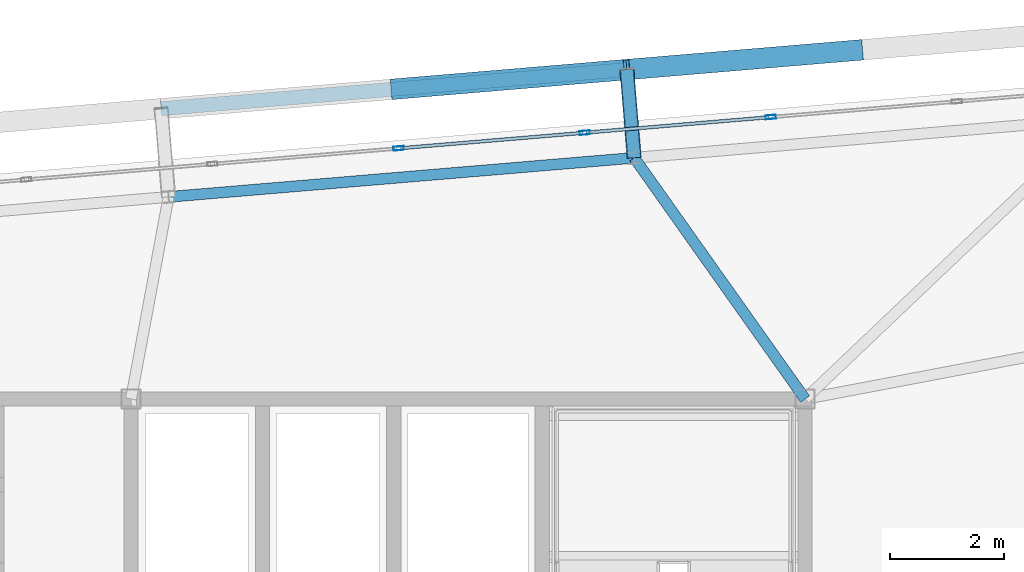
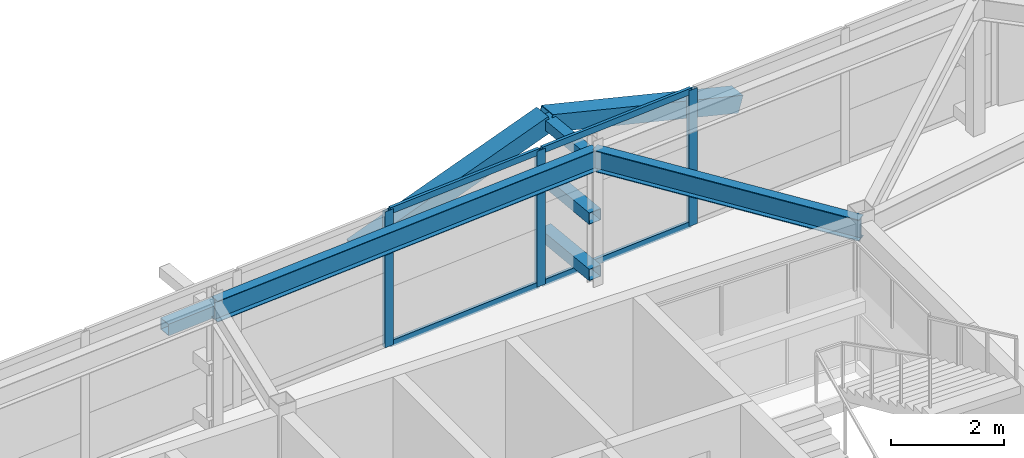
# One storey, part 30 of 46: 13 members, 2 beams, 1 element without a shape of its own.
"""IFC4 building model written with IfcOpenShell, lengths in metres."""

import ifcopenshell
import ifcopenshell.guid

model = None  # the IFC model being written
_history = None  # IfcOwnerHistory: only IFC2X3 demands one
_inside = {}  # id of a spatial element -> (the spatial element, [elements in it])
_under = {}  # id of a project, library or spatial element -> (it, [spatial elements below it])
_declared = {}  # id of a project -> (the project, [libraries it declares])
_typed = {}  # id of a type object -> (the type object, [elements of that type])
_made_of = {}  # id of a material, layer set ... -> (it, [elements and type objects made of it])


def new_model(schema):
    """Start an empty IFC model of exactly this schema.

    Asked for "IFC4X3", IfcOpenShell would pick the latest addendum, in which some entities
    have other attributes; the version numbers below select the first issue.
    IFC2X3 requires an IfcOwnerHistory on every rooted entity: one is made here for all.
    """
    global model, _history
    if schema == "IFC4X3":
        model = ifcopenshell.file(schema_version=(4, 3, 0, 0))
    else:
        model = ifcopenshell.file(schema=schema)
    _inside.clear()
    _under.clear()
    _declared.clear()
    _typed.clear()
    _made_of.clear()
    _history = None
    if model.schema == "IFC2X3":
        org = make("IfcOrganization", Name="unknown")
        user = make(
            "IfcPersonAndOrganization",
            ThePerson=make("IfcPerson", FamilyName="unknown"),
            TheOrganization=org,
        )
        app = make(
            "IfcApplication",
            ApplicationDeveloper=org,
            Version="unknown",
            ApplicationFullName="unknown",
            ApplicationIdentifier="unknown",
        )
        _history = make(
            "IfcOwnerHistory",
            OwningUser=user,
            OwningApplication=app,
            ChangeAction="ADDED",
            CreationDate=0,
        )
    return model


def make(cls, **values):
    """One entity of the class cls with the attributes given. An attribute that is None is left unset."""
    return model.create_entity(
        cls, **{name: value for name, value in values.items() if value is not None}
    )


def rooted(cls, **values):
    """An entity with a GlobalId (a new one), such as an element, a storey or a relation."""
    return make(cls, GlobalId=ifcopenshell.guid.new(), OwnerHistory=_history, **values)


def si_unit(unit_type, name, prefix=None):
    """IfcSIUnit, for example si_unit("LENGTHUNIT", "METRE", prefix="MILLI")."""
    return make("IfcSIUnit", UnitType=unit_type, Prefix=prefix, Name=name)


def assignment(units):
    """IfcUnitAssignment: the units of a project."""
    return None if units is None else make("IfcUnitAssignment", Units=units)


def point(xyz):
    """IfcCartesianPoint."""
    return None if xyz is None else make("IfcCartesianPoint", Coordinates=xyz)


def direction(xyz):
    """IfcDirection."""
    return None if xyz is None else make("IfcDirection", DirectionRatios=xyz)


def frame(location, z_axis=None, x_axis=None):
    """IfcAxis2Placement3D, a coordinate frame: its origin and axes. An axis left out is left unset."""
    return make(
        "IfcAxis2Placement3D",
        Location=point(location),
        Axis=direction(z_axis),
        RefDirection=direction(x_axis),
    )


def frame_2d(location, x_axis=None):
    """IfcAxis2Placement2D, a coordinate frame in the plane: its origin and x axis."""
    return make(
        "IfcAxis2Placement2D", Location=point(location), RefDirection=direction(x_axis)
    )


def origin():
    """The frame at (0, 0, 0) with its axes left unset."""
    return frame((0.0, 0.0, 0.0))


def origin_2d():
    """The frame at (0, 0) in the plane with its x axis left unset."""
    return frame_2d((0.0, 0.0))


def place(relative_to, where):
    """IfcLocalPlacement: puts the frame where relative to a parent placement (None: the world)."""
    return make(
        "IfcLocalPlacement", PlacementRelTo=relative_to, RelativePlacement=where
    )


def context(
    kind, dimensions, precision=None, world=None, true_north=None, identifier=None
):
    """IfcGeometricRepresentationContext, for example the 3D "Model" context."""
    return make(
        "IfcGeometricRepresentationContext",
        ContextIdentifier=identifier,
        ContextType=kind,
        CoordinateSpaceDimension=dimensions,
        Precision=precision,
        WorldCoordinateSystem=world,
        TrueNorth=true_north,
    )


def subcontext(parent, identifier, kind, view, scale=None):
    """IfcGeometricRepresentationSubContext, for example "Body" below "Model"."""
    return make(
        "IfcGeometricRepresentationSubContext",
        ContextIdentifier=identifier,
        ContextType=kind,
        ParentContext=parent,
        TargetScale=scale,
        TargetView=view,
    )


def project(units=None, contexts=None):
    """IfcProject with its units and contexts."""
    return rooted(
        "IfcProject",
        Name="project",
        RepresentationContexts=contexts,
        UnitsInContext=assignment(units),
    )


def spatial(cls, under=None, at=None, **own):
    """A site, building, storey or space (cls), placed at a placement, below another one or the project."""
    s = rooted(cls, ObjectPlacement=at, **own)
    if under is not None:
        _under.setdefault(under.id(), (under, []))[1].append(s)
    return s


def profile(cls, at=None, kind="AREA", **sizes):
    """A parametric profile (cls). Its sizes go by their IFC names, for example OverallWidth=200.0."""
    return make(cls, ProfileType=kind, Position=at, **sizes)


def hollow_rectangle(**sizes):
    """IfcRectangleHollowProfileDef."""
    return profile("IfcRectangleHollowProfileDef", **sizes)


def i_section(**sizes):
    """IfcIShapeProfileDef."""
    return profile("IfcIShapeProfileDef", **sizes)


def extrude(swept, where, along, depth):
    """IfcExtrudedAreaSolid: the profile swept, set in the frame where, extruded along a direction by depth."""
    return make(
        "IfcExtrudedAreaSolid",
        SweptArea=swept,
        Position=where,
        ExtrudedDirection=direction(along),
        Depth=depth,
    )


def shape(context_of_items, identifier, shape_type, items):
    """IfcShapeRepresentation: the items that make up one representation, for example the "Body"."""
    return make(
        "IfcShapeRepresentation",
        ContextOfItems=context_of_items,
        RepresentationIdentifier=identifier,
        RepresentationType=shape_type,
        Items=items,
    )


def source(mapping_origin, context_of_items, identifier, shape_type, items):
    """IfcRepresentationMap: a shape defined once, which mapped items show again and again."""
    return make(
        "IfcRepresentationMap",
        MappingOrigin=mapping_origin,
        MappedRepresentation=shape(context_of_items, identifier, shape_type, items),
    )


def transform(
    local_origin,
    x_axis=None,
    y_axis=None,
    z_axis=None,
    scale=None,
    scale2=None,
    scale3=None,
    uniform=True,
):
    """IfcCartesianTransformationOperator3D, or its non-uniform kind. x_axis, y_axis, z_axis: its Axis1, 2, 3."""
    if uniform:
        return make(
            "IfcCartesianTransformationOperator3D",
            Axis1=direction(x_axis),
            Axis2=direction(y_axis),
            LocalOrigin=point(local_origin),
            Scale=scale,
            Axis3=direction(z_axis),
        )
    return make(
        "IfcCartesianTransformationOperator3DnonUniform",
        Axis1=direction(x_axis),
        Axis2=direction(y_axis),
        LocalOrigin=point(local_origin),
        Scale=scale,
        Axis3=direction(z_axis),
        Scale2=scale2,
        Scale3=scale3,
    )


def mapped(mapping_source, mapping_target):
    """IfcMappedItem: shows the shape of a source again, moved by a transform."""
    return make(
        "IfcMappedItem", MappingSource=mapping_source, MappingTarget=mapping_target
    )


def material(Name=None, Category=None):
    """IfcMaterial."""
    return make("IfcMaterial", Name=Name, Category=Category)


def layer(
    of_material, thickness, ventilated=None, Name=None, Category=None, Priority=None
):
    """IfcMaterialLayer: one layer of a wall or slab, of a material (None: an air gap)."""
    return make(
        "IfcMaterialLayer",
        Material=of_material,
        LayerThickness=thickness,
        IsVentilated=ventilated,
        Name=Name,
        Category=Category,
        Priority=Priority,
    )


def layer_set(layers, Name=None):
    """IfcMaterialLayerSet."""
    return make("IfcMaterialLayerSet", MaterialLayers=layers, LayerSetName=Name)


def material_profile(
    of_material, cross_section, Name=None, Category=None, Priority=None
):
    """IfcMaterialProfile: a cross section and its material."""
    return make(
        "IfcMaterialProfile",
        Name=Name,
        Material=of_material,
        Profile=cross_section,
        Priority=Priority,
        Category=Category,
    )


def profile_set(profiles, Name=None, composite=None):
    """IfcMaterialProfileSet."""
    return make(
        "IfcMaterialProfileSet",
        Name=Name,
        MaterialProfiles=profiles,
        CompositeProfile=composite,
    )


def made_of(thing, what):
    """Note that an element or type object is made of a material, layer set ...; save() writes the relation."""
    if what is not None:
        _made_of.setdefault(what.id(), (what, []))[1].append(thing)
    return thing


def type_object(cls, material=None, **own):
    """A type object (cls), such as IfcWallType, which elements share."""
    return made_of(rooted(cls, **own), material)


def element(
    cls,
    number,
    at=None,
    inside=None,
    cuts=None,
    type_object=None,
    material=None,
    context=None,
    identifier="Body",
    shape_type=None,
    held_by="IfcProductDefinitionShape",
    body=None,
    shapes=None,
    **own,
):
    """One element of the class cls, such as IfcWall. Its Tag is "e" and its number.

    at: its placement. inside: the storey or other place that contains it. cuts: it is an
    opening in that element (IfcRelVoidsElement). A single representation is given by context,
    identifier, shape_type and body (its items); several are given by shapes. held_by: the class
    of the entity that holds the representations. save() writes the other relations.
    """
    e = rooted(cls, Tag="e%d" % number, ObjectPlacement=at, **own)
    if body is not None:
        shapes = [shape(context, identifier, shape_type, body)]
    if shapes is not None:
        e.Representation = make(held_by, Representations=shapes)
    if inside is not None:
        _inside.setdefault(inside.id(), (inside, []))[1].append(e)
    if cuts is not None:
        rooted(
            "IfcRelVoidsElement", RelatingBuildingElement=cuts, RelatedOpeningElement=e
        )
    if type_object is not None:
        _typed.setdefault(type_object.id(), (type_object, []))[1].append(e)
    return made_of(e, material)


def aggregate(whole, parts):
    """IfcRelAggregates: a whole, such as a stair, and the parts it consists of."""
    return rooted("IfcRelAggregates", RelatingObject=whole, RelatedObjects=parts)


def save(model, path):
    """Write the relations noted so far, then the file.

    IfcRelAggregates (storeys below a building ...), IfcRelContainedInSpatialStructure (elements
    in a storey), IfcRelDefinesByType, IfcRelAssociatesMaterial and IfcRelDeclares: one each for
    every whole, place, type object, material and project.
    """
    for whole, parts in _under.values():
        aggregate(whole, parts)
    for where, things in _inside.values():
        rooted(
            "IfcRelContainedInSpatialStructure",
            RelatedElements=things,
            RelatingStructure=where,
        )
    for kind, things in _typed.values():
        rooted("IfcRelDefinesByType", RelatedObjects=things, RelatingType=kind)
    for what, things in _made_of.values():
        rooted("IfcRelAssociatesMaterial", RelatedObjects=things, RelatingMaterial=what)
    for by, libraries in _declared.values():
        rooted("IfcRelDeclares", RelatingContext=by, RelatedDefinitions=libraries)
    model.write(path)


model = new_model("IFC4")

# Units and contexts
model_context = context("Model", 3, precision=1e-05, world=origin(), true_north=direction((0.0, 1.0)))
body_context = subcontext(model_context, "Body", "Model", "MODEL_VIEW")
ifc_project = project(units=[si_unit("LENGTHUNIT", "METRE"), si_unit("AREAUNIT", "SQUARE_METRE"), si_unit("VOLUMEUNIT", "CUBIC_METRE"), si_unit("PLANEANGLEUNIT", "RADIAN"), si_unit("MASSUNIT", "GRAM", prefix="KILO")], contexts=[model_context])

# Site, building, storey
site_placement = place(None, origin())
site = spatial("IfcSite", under=ifc_project, at=site_placement, CompositionType="ELEMENT")
building_placement = place(site_placement, origin())
building = spatial("IfcBuilding", under=site, at=building_placement, Name="Taldren Reach Tower", CompositionType="ELEMENT")
storey_placement = place(building_placement, frame((0.0, 0.0, 194.60009765625)))
storey = spatial("IfcBuildingStorey", under=building, at=storey_placement, Name="L59", CompositionType="ELEMENT", Elevation=194.60009765625)

# Members
ifc_material_1 = material(Name="Steel Gr 350 (C350L0)", Category="steel")
ifc_material_profile_1 = material_profile(ifc_material_1, hollow_rectangle(XDim=0.25, YDim=0.25, WallThickness=0.010009765625, at=origin_2d()), Name="250x250x10.0SHS")
ifc_profile_set_1 = profile_set([ifc_material_profile_1], Name="Steel Gr 350 (C350L0)")
member_type_1 = type_object("IfcMemberType", Name="MB-POST250", PredefinedType="POST", material=ifc_profile_set_1)
shared_shape_1 = source(origin(), body_context, "Body", "SweptSolid", [
    extrude(hollow_rectangle(XDim=0.25, YDim=0.25, WallThickness=0.010009765625, at=origin_2d()), origin(), (0.0, 0.0, 1.0), 1.550048828125),
])
for number, where, z_axis, x_axis, name in (
    (1, (48.009033203125, 36.221435546875, 0.219970703125), (-0.083632013783, 0.996496706603, 0.0), (-0.996496706603, -0.083632013783, 0.0), "Exoskeleton base diaphragm tie strut B4-N5 L59"),
    (2, (48.009033203125, 36.221435546875, 1.434814453125), (-0.083632013783, 0.996496706603, 0.0), (-0.996496706603, -0.083632013783, 0.0), "Exoskeleton mid-tier diaphragm tie B4-N5 L59"),
):
    element("IfcMember", number, at=place(storey_placement, frame(where, z_axis=z_axis, x_axis=x_axis)), inside=storey, type_object=member_type_1, Name=name, PredefinedType="POST", context=body_context, shape_type="MappedRepresentation", body=[
        mapped(shared_shape_1, transform((0.0, 0.0, 0.0), scale=1.0)),
    ])

# Beams
ifc_material_2 = material(Name="Steel Gr 350 (350PLUS)", Category="steel")
ifc_material_profile_2 = material_profile(ifc_material_2, i_section(OverallWidth=0.18994140625, OverallDepth=0.4541015625, WebThickness=0.008544921875, FlangeThickness=0.0126953125, at=origin_2d()), Name="460UB67.1")
ifc_profile_set_2 = profile_set([ifc_material_profile_2], Name="Steel Gr 350 (350PLUS)")
beam_type_1 = type_object("IfcBeamType", Name="SP-UB460B", PredefinedType="SPANDREL", material=ifc_profile_set_2)
shared_shape_2 = source(origin(), body_context, "Body", "SweptSolid", [
    extrude(i_section(OverallWidth=0.18994140625, OverallDepth=0.4541015625, WebThickness=0.008544921875, FlangeThickness=0.0126953125, at=origin_2d()), origin(), (0.0, 0.0, 1.0), 8.179931640625),
])
beam_1_placement = place(storey_placement, frame((48.009033203125, 36.221435546875, 2.702880859375), z_axis=(-0.996494523218, -0.083658025296, 0.0), x_axis=(0.083658025296, -0.996494523218, 0.0)))
element("IfcBeam", 3, at=beam_1_placement, inside=storey, type_object=beam_type_1, Name="Perimeter spandrel B4 N5-N4 L59", PredefinedType="SPANDREL", context=body_context, shape_type="MappedRepresentation", body=[
    mapped(shared_shape_2, transform((0.0, 0.0, 0.0), scale=1.0)),
])
ifc_material_profile_3 = material_profile(ifc_material_2, i_section(OverallWidth=0.19091796875, OverallDepth=0.4599609375, WebThickness=0.010009765625, FlangeThickness=0.01611328125, at=origin_2d()), Name="460UB82.1")
ifc_profile_set_3 = profile_set([ifc_material_profile_3], Name="Steel Gr 350 (350PLUS)")
beam_type_2 = type_object("IfcBeamType", Name="BM-UB460A", PredefinedType="BEAM", material=ifc_profile_set_3)
shared_shape_3 = source(origin(), body_context, "Body", "SweptSolid", [
    extrude(i_section(OverallWidth=0.19091796875, OverallDepth=0.4599609375, WebThickness=0.010009765625, FlangeThickness=0.01611328125, at=origin_2d()), origin(), (0.0, 0.0, 1.0), 5.173583984375),
])
beam_2_placement = place(storey_placement, frame((51.0, 32.0, 2.699951171875), z_axis=(-0.578118152709, 0.8159530633, 0.0), x_axis=(-0.8159530633, -0.578118152709, 0.0)))
element("IfcBeam", 4, at=beam_2_placement, inside=storey, type_object=beam_type_2, Name="Primary floor girder B4-N5 L59", PredefinedType="BEAM", context=body_context, shape_type="MappedRepresentation", body=[
    mapped(shared_shape_3, transform((0.0, 0.0, 0.0), scale=1.0)),
])

# Members
ifc_material_3 = material(Name="Steel Gr 450 (C450L0)", Category="steel")
ifc_material_profile_4 = material_profile(ifc_material_3, hollow_rectangle(XDim=0.219970703125, YDim=0.219970703125, WallThickness=0.00830078125, at=origin_2d()), Name="220x220x8.2SHS")
ifc_profile_set_4 = profile_set([ifc_material_profile_4], Name="Steel Gr 450 (C450L0)")
member_type_2 = type_object("IfcMemberType", Name="MB-TIE219", PredefinedType="STRUT", material=ifc_profile_set_4)
shared_shape_4 = source(origin(), body_context, "Body", "SweptSolid", [
    extrude(hollow_rectangle(XDim=0.219970703125, YDim=0.219970703125, WallThickness=0.00830078125, at=origin_2d()), origin(), (0.0, 0.0, 1.0), 1.550048828125),
])
member_1_placement = place(storey_placement, frame((48.009033203125, 36.221435546875, 2.64990234375), z_axis=(-0.083632013783, 0.996496706603, 0.0), x_axis=(-0.996496706603, -0.083632013783, 0.0)))
element("IfcMember", 5, at=member_1_placement, inside=storey, type_object=member_type_2, Name="Exoskeleton diaphragm tie strut B4-N5 L59", PredefinedType="STRUT", context=body_context, shape_type="MappedRepresentation", body=[
    mapped(shared_shape_4, transform((0.0, 0.0, 0.0), scale=1.0)),
])
shared_shape_5 = source(origin(), body_context, "Body", "SweptSolid", [
    extrude(hollow_rectangle(XDim=0.25, YDim=0.25, WallThickness=0.010009765625, at=origin_2d()), origin(), (0.0, 0.0, 1.0), 8.18017578125),
])
member_2_placement = place(storey_placement, frame((39.72802734375, 37.08154296875, 1.434814453125), z_axis=(0.996492034688, 0.083687662192, 0.0), x_axis=(-0.083687662192, 0.996492034688, 0.0)))
element("IfcMember", 6, at=member_2_placement, inside=storey, type_object=member_type_1, Name="Exoskeleton mid-height ring chord B4-N4 L59", PredefinedType="POST", context=body_context, shape_type="MappedRepresentation", body=[
    mapped(shared_shape_5, transform((0.0, 0.0, 0.0), scale=1.0)),
])
ifc_material_profile_5 = material_profile(ifc_material_3, hollow_rectangle(XDim=0.360107421875, YDim=0.360107421875, WallThickness=0.0126953125, at=origin_2d()), Name="360x360x12.7SHS")
ifc_profile_set_5 = profile_set([ifc_material_profile_5], Name="Steel Gr 450 (C450L0)")
member_type_3 = type_object("IfcMemberType", Name="MB-EXO356", PredefinedType="BRACE", material=ifc_profile_set_5)
shared_shape_6 = source(origin(), body_context, "Body", "SweptSolid", [
    extrude(hollow_rectangle(XDim=0.360107421875, YDim=0.360107421875, WallThickness=0.0126953125, at=origin_2d()), origin(), (0.0, 0.0, 1.0), 4.2666015625),
])
for number, where, z_axis, x_axis, name in (
    (7, (43.8037109375, 37.423828125, 1.434814453125), (0.955229159097, 0.080222312271, 0.284783486572), (-0.083687662192, 0.996492034688, 0.0), "Exoskeleton Diagrid Brace B4-N4 L59"),
    (8, (51.955078125, 38.1083984375, 1.434814453125), (-0.955229159097, -0.080222312271, 0.284783486572), (0.083687662192, -0.996492034688, 0.0), "Exoskeleton Diagrid Brace B4-N5 L59"),
):
    element("IfcMember", number, at=place(storey_placement, frame(where, z_axis=z_axis, x_axis=x_axis)), inside=storey, type_object=member_type_3, Name=name, PredefinedType="BRACE", context=body_context, shape_type="MappedRepresentation", body=[
        mapped(shared_shape_6, transform((0.0, 0.0, 0.0), scale=1.0)),
    ])

# Curtain wall, members
ifc_material_4 = material(Name="Aluminium and Low-E Glass Unitised System", Category="aluminium")
ifc_layer = layer(ifc_material_4, 0.159912109375)
ifc_layer_set = layer_set([ifc_layer], Name="Aluminium and Low-E Glass Unitised System")
curtain_wall_type = type_object("IfcCurtainWallType", Name="CW-SYS-5", PredefinedType="NOTDEFINED", material=ifc_layer_set)
curtain_wall_placement = place(storey_placement, origin())
curtain_wall = element("IfcCurtainWall", 9, at=curtain_wall_placement, inside=storey, type_object=curtain_wall_type, Name="Unitised curtain wall CW-L59-N", PredefinedType="NOTDEFINED")
ifc_material_5 = material(Name="Anodised Aluminium 6063-T6", Category="aluminium")
ifc_material_profile_6 = material_profile(ifc_material_5, hollow_rectangle(XDim=0.070068359375, YDim=0.179931640625, WallThickness=0.00390625, at=origin_2d()), Name="ALU-180x70x4RHS")
ifc_profile_set_6 = profile_set([ifc_material_profile_6], Name="Anodised Aluminium 6063-T6")
member_type_4 = type_object("IfcMemberType", Name="CW-MUL-180", PredefinedType="MULLION", material=ifc_profile_set_6)
shared_shape_7 = source(origin(), body_context, "Body", "SweptSolid", [
    extrude(hollow_rectangle(XDim=0.070068359375, YDim=0.179931640625, WallThickness=0.00390625, at=origin_2d()), origin(), (0.0, 0.0, 1.0), 2.929931640625),
])
member_3_placement = place(storey_placement, frame((50.3994140625, 36.93408203125, 0.0), z_axis=(0.0, 0.0, 1.0), x_axis=(0.083677875247, -0.99649285657, 0.0)))
member_3 = element("IfcMember", 10, at=member_3_placement, type_object=member_type_4, Name="CW-5 mullion 3", PredefinedType="MULLION", context=body_context, shape_type="MappedRepresentation", body=[
    mapped(shared_shape_7, transform((0.0, 0.0, 0.0), scale=1.0)),
])
member_4_placement = place(storey_placement, frame((47.1416015625, 36.660400390625, 0.0), z_axis=(0.0, 0.0, 1.0), x_axis=(0.083677875247, -0.99649285657, 0.0)))
member_4 = element("IfcMember", 11, at=member_4_placement, type_object=member_type_4, Name="CW-5 mullion 4", PredefinedType="MULLION", context=body_context, shape_type="MappedRepresentation", body=[
    mapped(shared_shape_7, transform((0.0, 0.0, 0.0), scale=1.0)),
])
member_5_placement = place(storey_placement, frame((43.8837890625, 36.386962890625, 0.0), z_axis=(0.0, 0.0, 1.0), x_axis=(0.083677875247, -0.99649285657, 0.0)))
member_5 = element("IfcMember", 12, at=member_5_placement, type_object=member_type_4, Name="CW-5 mullion 5", PredefinedType="MULLION", context=body_context, shape_type="MappedRepresentation", body=[
    mapped(shared_shape_7, transform((0.0, 0.0, 0.0), scale=1.0)),
])
ifc_material_profile_7 = material_profile(ifc_material_5, hollow_rectangle(XDim=0.06005859375, YDim=0.135009765625, WallThickness=0.00341796875, at=origin_2d()), Name="ALU-135x60x3.5RHS")
ifc_profile_set_7 = profile_set([ifc_material_profile_7], Name="Anodised Aluminium 6063-T6")
member_type_5 = type_object("IfcMemberType", Name="CW-TRN-150", PredefinedType="USERDEFINED", material=ifc_profile_set_7)
shared_shape_8 = source(origin(), body_context, "Body", "SweptSolid", [
    extrude(hollow_rectangle(XDim=0.06005859375, YDim=0.135009765625, WallThickness=0.00341796875, at=origin_2d()), origin(), (0.0, 0.0, 1.0), 3.19921875),
])
member_6_placement = place(storey_placement, frame((50.364501953125, 36.93115234375, 0.02978515625), z_axis=(-0.996489746258, -0.083714906697, 0.0), x_axis=(0.083714906697, -0.996489746258, 0.0)))
member_6 = element("IfcMember", 13, at=member_6_placement, type_object=member_type_5, Name="CW-5 transom 3.1", ObjectType="TRANSOM", PredefinedType="USERDEFINED", context=body_context, shape_type="MappedRepresentation", body=[
    mapped(shared_shape_8, transform((0.0, 0.0, 0.0), scale=1.0)),
])
member_7_placement = place(storey_placement, frame((50.364501953125, 36.93115234375, 2.89990234375), z_axis=(-0.996489746258, -0.083714906697, 0.0), x_axis=(0.083714906697, -0.996489746258, 0.0)))
member_7 = element("IfcMember", 14, at=member_7_placement, type_object=member_type_5, Name="CW-5 transom 3.2", ObjectType="TRANSOM", PredefinedType="USERDEFINED", context=body_context, shape_type="MappedRepresentation", body=[
    mapped(shared_shape_8, transform((0.0, 0.0, 0.0), scale=1.0)),
])
member_8_placement = place(storey_placement, frame((47.106689453125, 36.657470703125, 0.02978515625), z_axis=(-0.996496109493, -0.083639128198, 0.0), x_axis=(0.083639128198, -0.996496109493, 0.0)))
member_8 = element("IfcMember", 15, at=member_8_placement, type_object=member_type_5, Name="CW-5 transom 4.1", ObjectType="TRANSOM", PredefinedType="USERDEFINED", context=body_context, shape_type="MappedRepresentation", body=[
    mapped(shared_shape_8, transform((0.0, 0.0, 0.0), scale=1.0)),
])
member_9_placement = place(storey_placement, frame((47.106689453125, 36.657470703125, 2.89990234375), z_axis=(-0.996496109493, -0.083639128198, 0.0), x_axis=(0.083639128198, -0.996496109493, 0.0)))
member_9 = element("IfcMember", 16, at=member_9_placement, type_object=member_type_5, Name="CW-5 transom 4.2", ObjectType="TRANSOM", PredefinedType="USERDEFINED", context=body_context, shape_type="MappedRepresentation", body=[
    mapped(shared_shape_8, transform((0.0, 0.0, 0.0), scale=1.0)),
])
aggregate(curtain_wall, [member_3, member_4, member_5, member_6, member_7, member_8, member_9])

save(model, "model.ifc")
